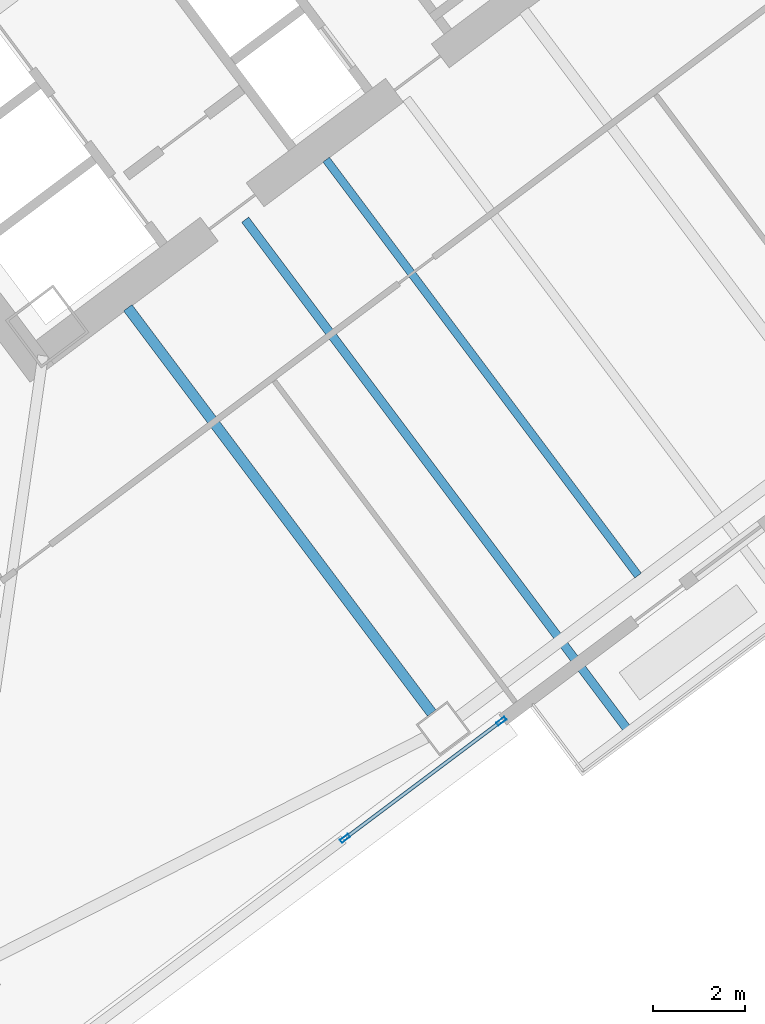
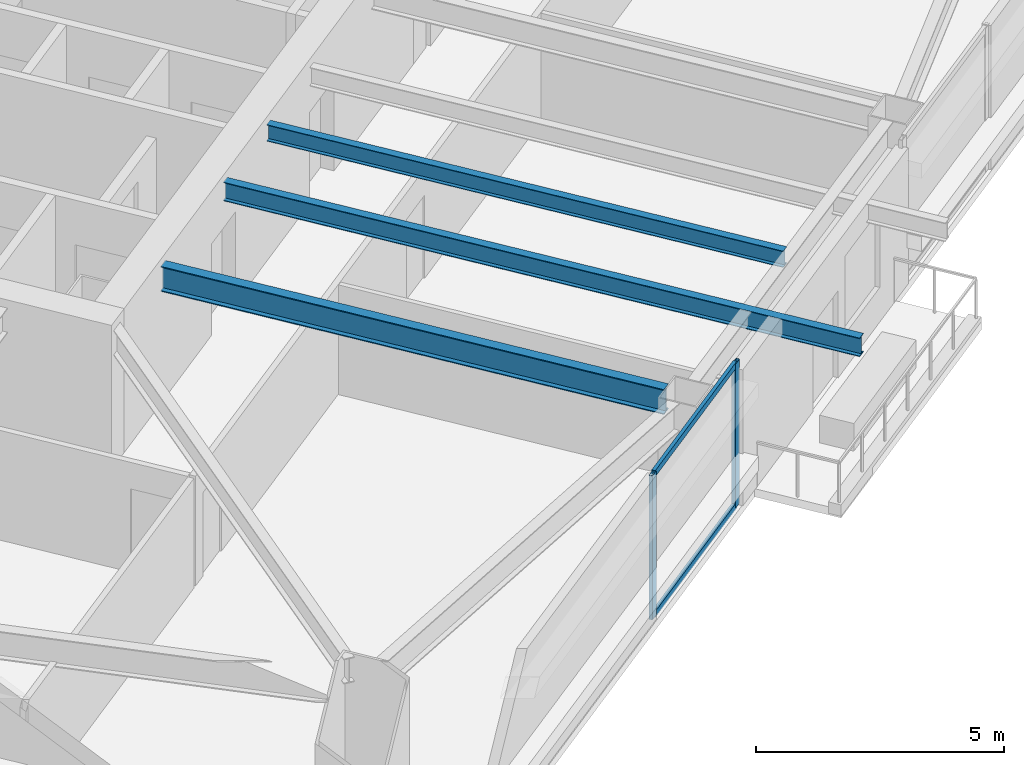
# One storey, part 26 of 48: 4 members, 3 beams, 1 element without a shape of its own.
"""IFC4 building model written with IfcOpenShell, lengths in metres."""

import ifcopenshell
import ifcopenshell.guid

model = None  # the IFC model being written
_history = None  # IfcOwnerHistory: only IFC2X3 demands one
_inside = {}  # id of a spatial element -> (the spatial element, [elements in it])
_under = {}  # id of a project, library or spatial element -> (it, [spatial elements below it])
_declared = {}  # id of a project -> (the project, [libraries it declares])
_typed = {}  # id of a type object -> (the type object, [elements of that type])
_made_of = {}  # id of a material, layer set ... -> (it, [elements and type objects made of it])


def new_model(schema):
    """Start an empty IFC model of exactly this schema.

    Asked for "IFC4X3", IfcOpenShell would pick the latest addendum, in which some entities
    have other attributes; the version numbers below select the first issue.
    IFC2X3 requires an IfcOwnerHistory on every rooted entity: one is made here for all.
    """
    global model, _history
    if schema == "IFC4X3":
        model = ifcopenshell.file(schema_version=(4, 3, 0, 0))
    else:
        model = ifcopenshell.file(schema=schema)
    _inside.clear()
    _under.clear()
    _declared.clear()
    _typed.clear()
    _made_of.clear()
    _history = None
    if model.schema == "IFC2X3":
        org = make("IfcOrganization", Name="unknown")
        user = make(
            "IfcPersonAndOrganization",
            ThePerson=make("IfcPerson", FamilyName="unknown"),
            TheOrganization=org,
        )
        app = make(
            "IfcApplication",
            ApplicationDeveloper=org,
            Version="unknown",
            ApplicationFullName="unknown",
            ApplicationIdentifier="unknown",
        )
        _history = make(
            "IfcOwnerHistory",
            OwningUser=user,
            OwningApplication=app,
            ChangeAction="ADDED",
            CreationDate=0,
        )
    return model


def make(cls, **values):
    """One entity of the class cls with the attributes given. An attribute that is None is left unset."""
    return model.create_entity(
        cls, **{name: value for name, value in values.items() if value is not None}
    )


def rooted(cls, **values):
    """An entity with a GlobalId (a new one), such as an element, a storey or a relation."""
    return make(cls, GlobalId=ifcopenshell.guid.new(), OwnerHistory=_history, **values)


def si_unit(unit_type, name, prefix=None):
    """IfcSIUnit, for example si_unit("LENGTHUNIT", "METRE", prefix="MILLI")."""
    return make("IfcSIUnit", UnitType=unit_type, Prefix=prefix, Name=name)


def assignment(units):
    """IfcUnitAssignment: the units of a project."""
    return None if units is None else make("IfcUnitAssignment", Units=units)


def point(xyz):
    """IfcCartesianPoint."""
    return None if xyz is None else make("IfcCartesianPoint", Coordinates=xyz)


def direction(xyz):
    """IfcDirection."""
    return None if xyz is None else make("IfcDirection", DirectionRatios=xyz)


def frame(location, z_axis=None, x_axis=None):
    """IfcAxis2Placement3D, a coordinate frame: its origin and axes. An axis left out is left unset."""
    return make(
        "IfcAxis2Placement3D",
        Location=point(location),
        Axis=direction(z_axis),
        RefDirection=direction(x_axis),
    )


def frame_2d(location, x_axis=None):
    """IfcAxis2Placement2D, a coordinate frame in the plane: its origin and x axis."""
    return make(
        "IfcAxis2Placement2D", Location=point(location), RefDirection=direction(x_axis)
    )


def origin():
    """The frame at (0, 0, 0) with its axes left unset."""
    return frame((0.0, 0.0, 0.0))


def origin_2d():
    """The frame at (0, 0) in the plane with its x axis left unset."""
    return frame_2d((0.0, 0.0))


def place(relative_to, where):
    """IfcLocalPlacement: puts the frame where relative to a parent placement (None: the world)."""
    return make(
        "IfcLocalPlacement", PlacementRelTo=relative_to, RelativePlacement=where
    )


def context(
    kind, dimensions, precision=None, world=None, true_north=None, identifier=None
):
    """IfcGeometricRepresentationContext, for example the 3D "Model" context."""
    return make(
        "IfcGeometricRepresentationContext",
        ContextIdentifier=identifier,
        ContextType=kind,
        CoordinateSpaceDimension=dimensions,
        Precision=precision,
        WorldCoordinateSystem=world,
        TrueNorth=true_north,
    )


def subcontext(parent, identifier, kind, view, scale=None):
    """IfcGeometricRepresentationSubContext, for example "Body" below "Model"."""
    return make(
        "IfcGeometricRepresentationSubContext",
        ContextIdentifier=identifier,
        ContextType=kind,
        ParentContext=parent,
        TargetScale=scale,
        TargetView=view,
    )


def project(units=None, contexts=None):
    """IfcProject with its units and contexts."""
    return rooted(
        "IfcProject",
        Name="project",
        RepresentationContexts=contexts,
        UnitsInContext=assignment(units),
    )


def spatial(cls, under=None, at=None, **own):
    """A site, building, storey or space (cls), placed at a placement, below another one or the project."""
    s = rooted(cls, ObjectPlacement=at, **own)
    if under is not None:
        _under.setdefault(under.id(), (under, []))[1].append(s)
    return s


def profile(cls, at=None, kind="AREA", **sizes):
    """A parametric profile (cls). Its sizes go by their IFC names, for example OverallWidth=200.0."""
    return make(cls, ProfileType=kind, Position=at, **sizes)


def hollow_rectangle(**sizes):
    """IfcRectangleHollowProfileDef."""
    return profile("IfcRectangleHollowProfileDef", **sizes)


def i_section(**sizes):
    """IfcIShapeProfileDef."""
    return profile("IfcIShapeProfileDef", **sizes)


def extrude(swept, where, along, depth):
    """IfcExtrudedAreaSolid: the profile swept, set in the frame where, extruded along a direction by depth."""
    return make(
        "IfcExtrudedAreaSolid",
        SweptArea=swept,
        Position=where,
        ExtrudedDirection=direction(along),
        Depth=depth,
    )


def shape(context_of_items, identifier, shape_type, items):
    """IfcShapeRepresentation: the items that make up one representation, for example the "Body"."""
    return make(
        "IfcShapeRepresentation",
        ContextOfItems=context_of_items,
        RepresentationIdentifier=identifier,
        RepresentationType=shape_type,
        Items=items,
    )


def material(Name=None, Category=None):
    """IfcMaterial."""
    return make("IfcMaterial", Name=Name, Category=Category)


def material_profile(
    of_material, cross_section, Name=None, Category=None, Priority=None
):
    """IfcMaterialProfile: a cross section and its material."""
    return make(
        "IfcMaterialProfile",
        Name=Name,
        Material=of_material,
        Profile=cross_section,
        Priority=Priority,
        Category=Category,
    )


def profile_set(profiles, Name=None, composite=None):
    """IfcMaterialProfileSet."""
    return make(
        "IfcMaterialProfileSet",
        Name=Name,
        MaterialProfiles=profiles,
        CompositeProfile=composite,
    )


def made_of(thing, what):
    """Note that an element or type object is made of a material, layer set ...; save() writes the relation."""
    if what is not None:
        _made_of.setdefault(what.id(), (what, []))[1].append(thing)
    return thing


def type_object(cls, material=None, **own):
    """A type object (cls), such as IfcWallType, which elements share."""
    return made_of(rooted(cls, **own), material)


def element(
    cls,
    number,
    at=None,
    inside=None,
    cuts=None,
    type_object=None,
    material=None,
    context=None,
    identifier="Body",
    shape_type=None,
    held_by="IfcProductDefinitionShape",
    body=None,
    shapes=None,
    **own,
):
    """One element of the class cls, such as IfcWall. Its Tag is "e" and its number.

    at: its placement. inside: the storey or other place that contains it. cuts: it is an
    opening in that element (IfcRelVoidsElement). A single representation is given by context,
    identifier, shape_type and body (its items); several are given by shapes. held_by: the class
    of the entity that holds the representations. save() writes the other relations.
    """
    e = rooted(cls, Tag="e%d" % number, ObjectPlacement=at, **own)
    if body is not None:
        shapes = [shape(context, identifier, shape_type, body)]
    if shapes is not None:
        e.Representation = make(held_by, Representations=shapes)
    if inside is not None:
        _inside.setdefault(inside.id(), (inside, []))[1].append(e)
    if cuts is not None:
        rooted(
            "IfcRelVoidsElement", RelatingBuildingElement=cuts, RelatedOpeningElement=e
        )
    if type_object is not None:
        _typed.setdefault(type_object.id(), (type_object, []))[1].append(e)
    return made_of(e, material)


def aggregate(whole, parts):
    """IfcRelAggregates: a whole, such as a stair, and the parts it consists of."""
    return rooted("IfcRelAggregates", RelatingObject=whole, RelatedObjects=parts)


def save(model, path):
    """Write the relations noted so far, then the file.

    IfcRelAggregates (storeys below a building ...), IfcRelContainedInSpatialStructure (elements
    in a storey), IfcRelDefinesByType, IfcRelAssociatesMaterial and IfcRelDeclares: one each for
    every whole, place, type object, material and project.
    """
    for whole, parts in _under.values():
        aggregate(whole, parts)
    for where, things in _inside.values():
        rooted(
            "IfcRelContainedInSpatialStructure",
            RelatedElements=things,
            RelatingStructure=where,
        )
    for kind, things in _typed.values():
        rooted("IfcRelDefinesByType", RelatedObjects=things, RelatingType=kind)
    for what, things in _made_of.values():
        rooted("IfcRelAssociatesMaterial", RelatedObjects=things, RelatingMaterial=what)
    for by, libraries in _declared.values():
        rooted("IfcRelDeclares", RelatingContext=by, RelatedDefinitions=libraries)
    model.write(path)


model = new_model("IFC4")

# Units and contexts
model_context = context("Model", 3, precision=1e-05, world=origin(), true_north=direction((0.0, 1.0)))
body_context = subcontext(model_context, "Body", "Model", "MODEL_VIEW")
ifc_project = project(units=[si_unit("LENGTHUNIT", "METRE"), si_unit("AREAUNIT", "SQUARE_METRE"), si_unit("VOLUMEUNIT", "CUBIC_METRE"), si_unit("PLANEANGLEUNIT", "RADIAN"), si_unit("MASSUNIT", "GRAM", prefix="KILO")], contexts=[model_context])

# Site, building, storey
site_placement = place(None, origin())
site = spatial("IfcSite", under=ifc_project, at=site_placement, CompositionType="ELEMENT")
building_placement = place(site_placement, origin())
building = spatial("IfcBuilding", under=site, at=building_placement, Name="Tashvorn Skyway Center", CompositionType="ELEMENT")
storey_placement = place(building_placement, frame((0.0, 0.0, 77.85009765625)))
storey = spatial("IfcBuildingStorey", under=building, at=storey_placement, Name="L20", CompositionType="ELEMENT", Elevation=77.85009765625)

# Beams
ifc_material_1 = material(Name="Steel ASTM A992 Grade 50", Category="steel")
ifc_material_profile_1 = material_profile(ifc_material_1, i_section(OverallWidth=0.22998046875, OverallDepth=0.616943359375, WebThickness=0.01318359375, FlangeThickness=0.022216796875, at=origin_2d()), Name="W24X94")
ifc_profile_set_1 = profile_set([ifc_material_profile_1], Name="Steel ASTM A992 Grade 50")
beam_type_1 = type_object("IfcBeamType", Name="BM-BEAM-W24X94", PredefinedType="BEAM", material=ifc_profile_set_1)
beam_1_placement = place(storey_placement, frame((120.97802734375, 13.696044921875, 3.04150390625), z_axis=(-0.60001414024, 0.799989394625, 0.0), x_axis=(-0.799989394625, -0.60001414024, 0.0)))
element("IfcBeam", 1, at=beam_1_placement, inside=storey, type_object=beam_type_1, Name="Tower 2 L20 Primary Floor Girder FC-S1", PredefinedType="BEAM", context=body_context, shape_type="SweptSolid", body=[
    extrude(i_section(OverallWidth=0.22998046875, OverallDepth=0.616943359375, WebThickness=0.01318359375, FlangeThickness=0.022216796875, at=origin_2d()), origin(), (0.0, 0.0, 1.0), 11.050048828125),
])
ifc_material_profile_2 = material_profile(ifc_material_1, i_section(OverallWidth=0.177978515625, OverallDepth=0.406005859375, WebThickness=0.0078125, FlangeThickness=0.0126953125, at=origin_2d()), Name="W16X40")
ifc_profile_set_2 = profile_set([ifc_material_profile_2], Name="Steel ASTM A992 Grade 50")
beam_type_2 = type_object("IfcBeamType", Name="BM-JOIST-W16X40", PredefinedType="JOIST", material=ifc_profile_set_2)
beam_2_placement = place(storey_placement, frame((118.674072265625, 25.76806640625, 3.14697265625), z_axis=(0.599996555327, -0.800002583493, 0.0), x_axis=(0.800002583493, 0.599996555327, 0.0)))
element("IfcBeam", 2, at=beam_2_placement, inside=storey, type_object=beam_type_2, Name="Tower 2 L20 Secondary Composite Joist JS", PredefinedType="JOIST", context=body_context, shape_type="SweptSolid", body=[
    extrude(i_section(OverallWidth=0.177978515625, OverallDepth=0.406005859375, WebThickness=0.0078125, FlangeThickness=0.0126953125, at=origin_2d()), origin(), (0.0, 0.0, 1.0), 11.340087890625),
])
ifc_material_profile_3 = material_profile(ifc_material_1, i_section(OverallWidth=0.19091796875, OverallDepth=0.4599609375, WebThickness=0.010009765625, FlangeThickness=0.01611328125, at=origin_2d()), Name="W18X55")
ifc_profile_set_3 = profile_set([ifc_material_profile_3], Name="Steel ASTM A992 Grade 50")
beam_type_3 = type_object("IfcBeamType", Name="BM-JOIST-W18X55", PredefinedType="JOIST", material=ifc_profile_set_3)
beam_3_placement = place(storey_placement, frame((116.907958984375, 24.4560546875, 3.119873046875), z_axis=(0.600002796153, -0.799997902878, 0.0), x_axis=(0.799997902878, 0.600002796153, 0.0)))
element("IfcBeam", 3, at=beam_3_placement, inside=storey, type_object=beam_type_3, Name="Tower 2 L21 Terrace Cantilever Outlooker 1", PredefinedType="JOIST", context=body_context, shape_type="SweptSolid", body=[
    extrude(i_section(OverallWidth=0.19091796875, OverallDepth=0.4599609375, WebThickness=0.010009765625, FlangeThickness=0.01611328125, at=origin_2d()), origin(), (0.0, 0.0, 1.0), 13.969970703125),
])

# Curtain wall, members
ifc_material_2 = material(Name="Thermally broken bronze-anodized aluminium 6063-T6", Category="aluminium")
curtain_wall_type = type_object("IfcCurtainWallType", Name="CW-CW-Z2", PredefinedType="NOTDEFINED", material=ifc_material_2)
curtain_wall_placement = place(storey_placement, origin())
curtain_wall = element("IfcCurtainWall", 4, at=curtain_wall_placement, inside=storey, type_object=curtain_wall_type, Name="Tower 2 L20 South Curtain Wall R Glazing Group 1", PredefinedType="NOTDEFINED")
ifc_material_profile_4 = material_profile(ifc_material_2, hollow_rectangle(XDim=0.080078125, YDim=0.219970703125, WallThickness=0.0048828125, at=origin_2d()), Name="ALU-MULL-80x220")
ifc_profile_set_4 = profile_set([ifc_material_profile_4], Name="Thermally broken bronze-anodized aluminium 6063-T6")
member_type_1 = type_object("IfcMemberType", Name="CWM-CW-Z2", PredefinedType="MULLION", material=ifc_profile_set_4)
member_1_placement = place(storey_placement, frame((122.49609375, 13.52197265625, 0.0), z_axis=(0.0, 0.0, 1.0), x_axis=(0.599996316206, -0.800002762832, 0.0)))
member_1 = element("IfcMember", 5, at=member_1_placement, type_object=member_type_1, Name="CW-Z2 mullion 1", PredefinedType="MULLION", context=body_context, shape_type="SweptSolid", body=[
    extrude(hollow_rectangle(XDim=0.080078125, YDim=0.219970703125, WallThickness=0.0048828125, at=origin_2d()), origin(), (0.0, 0.0, 1.0), 3.5498046875),
])
member_2_placement = place(storey_placement, frame((119.085205078125, 10.964111328125, 0.0), z_axis=(0.0, 0.0, 1.0), x_axis=(0.599996316206, -0.800002762832, 0.0)))
member_2 = element("IfcMember", 6, at=member_2_placement, type_object=member_type_1, Name="CW-Z2 mullion 2", PredefinedType="MULLION", context=body_context, shape_type="SweptSolid", body=[
    extrude(hollow_rectangle(XDim=0.080078125, YDim=0.219970703125, WallThickness=0.0048828125, at=origin_2d()), origin(), (0.0, 0.0, 1.0), 3.5498046875),
])
ifc_material_profile_5 = material_profile(ifc_material_2, hollow_rectangle(XDim=0.080078125, YDim=0.14990234375, WallThickness=0.00439453125, at=origin_2d()), Name="ALU-TRAN-80x150")
ifc_profile_set_5 = profile_set([ifc_material_profile_5], Name="Thermally broken bronze-anodized aluminium 6063-T6")
member_type_2 = type_object("IfcMemberType", Name="CWT-CW-Z2", PredefinedType="USERDEFINED", material=ifc_profile_set_5)
member_3_placement = place(storey_placement, frame((122.464111328125, 13.498046875, 0.039794921875), z_axis=(-0.800021008158, -0.599971988101, 0.0), x_axis=(0.599971988101, -0.800021008158, 0.0)))
member_3 = element("IfcMember", 7, at=member_3_placement, type_object=member_type_2, Name="CW-Z2 transom 1.1", ObjectType="TRANSOM", PredefinedType="USERDEFINED", context=body_context, shape_type="SweptSolid", body=[
    extrude(hollow_rectangle(XDim=0.080078125, YDim=0.14990234375, WallThickness=0.00439453125, at=origin_2d()), origin(), (0.0, 0.0, 1.0), 4.18359375),
])
member_4_placement = place(storey_placement, frame((122.464111328125, 13.498046875, 3.510009765625), z_axis=(-0.800021008158, -0.599971988101, 0.0), x_axis=(0.599971988101, -0.800021008158, 0.0)))
member_4 = element("IfcMember", 8, at=member_4_placement, type_object=member_type_2, Name="CW-Z2 transom 1.2", ObjectType="TRANSOM", PredefinedType="USERDEFINED", context=body_context, shape_type="SweptSolid", body=[
    extrude(hollow_rectangle(XDim=0.080078125, YDim=0.14990234375, WallThickness=0.00439453125, at=origin_2d()), origin(), (0.0, 0.0, 1.0), 4.18359375),
])
aggregate(curtain_wall, [member_1, member_2, member_3, member_4])

save(model, "model.ifc")
